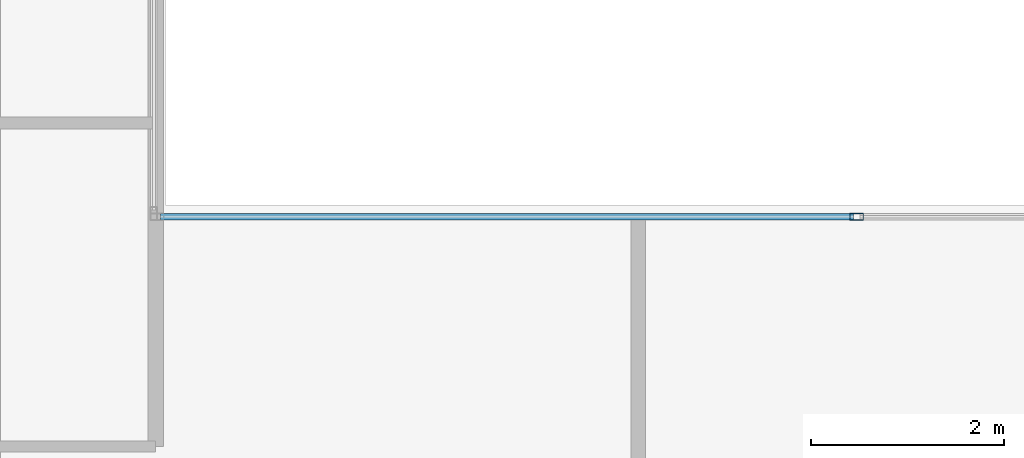
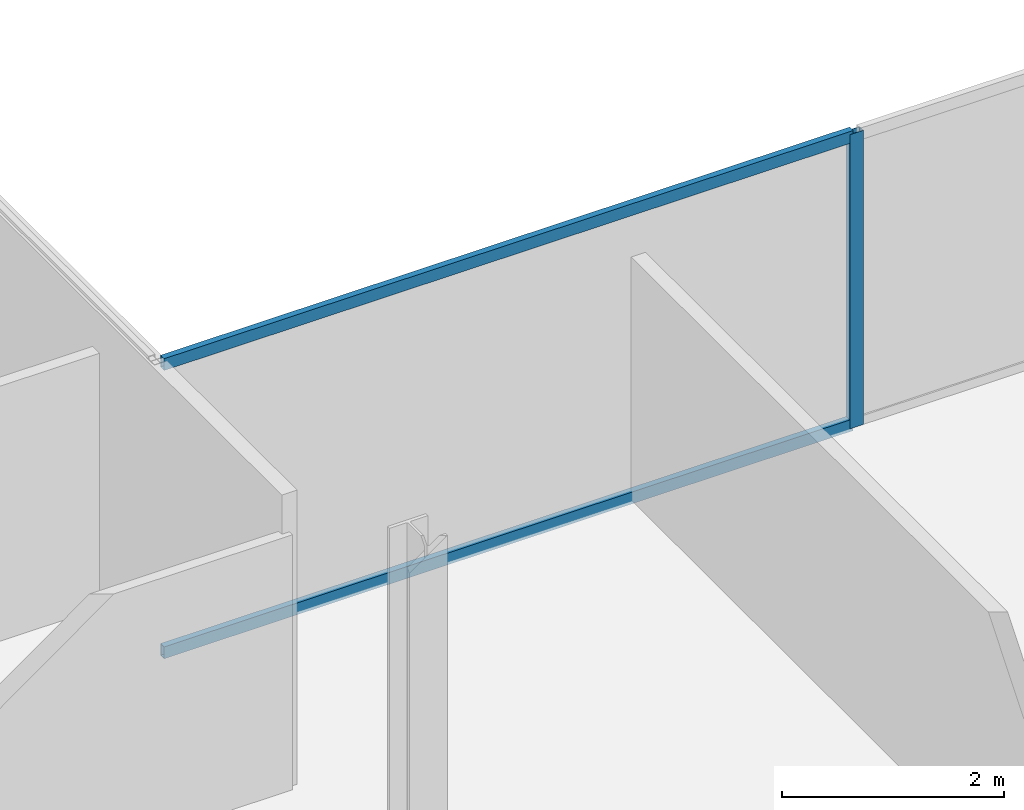
# One storey, part 9 of 24: 3 members, 1 element without a shape of its own.
"""IFC4 building model written with IfcOpenShell, lengths in metres."""

from ifc_helpers import new_model, si_unit, direction, frame, origin, origin_2d, place, context, subcontext, project, spatial, hollow_rectangle, extrude, material, material_profile, profile_set, type_object, element, aggregate, save


model = new_model("IFC4")

# Units and contexts
model_context = context("Model", 3, precision=1e-05, world=origin(), true_north=direction((0.0, 1.0)))
body_context = subcontext(model_context, "Body", "Model", "MODEL_VIEW")
ifc_project = project(units=[si_unit("LENGTHUNIT", "METRE"), si_unit("AREAUNIT", "SQUARE_METRE"), si_unit("VOLUMEUNIT", "CUBIC_METRE"), si_unit("PLANEANGLEUNIT", "RADIAN"), si_unit("MASSUNIT", "GRAM", prefix="KILO")], contexts=[model_context])

# Site, building, storey
site_placement = place(None, origin())
site = spatial("IfcSite", under=ifc_project, at=site_placement, CompositionType="ELEMENT")
building_placement = place(site_placement, origin())
building = spatial("IfcBuilding", under=site, at=building_placement, Name="Cobrela Telecom Tower", CompositionType="ELEMENT")
storey_placement = place(building_placement, frame((0.0, 0.0, 248.14990234375)))
storey = spatial("IfcBuildingStorey", under=building, at=storey_placement, Name="L64", CompositionType="ELEMENT", Elevation=248.14990234375)

# Curtain wall, members
ifc_material = material(Name="Anodized Bronze Aluminium 6063-T6", Category="aluminium")
curtain_wall_type = type_object("IfcCurtainWallType", Name="CW-SYS-OFF-HI", PredefinedType="USERDEFINED", material=ifc_material)
curtain_wall_placement = place(storey_placement, origin())
curtain_wall = element("IfcCurtainWall", 1, at=curtain_wall_placement, inside=storey, type_object=curtain_wall_type, Name="L64 Unitised Bronze Curtain Wall 09", ObjectType="UNITISED CURTAIN WALL", PredefinedType="USERDEFINED")
ifc_material_profile_1 = material_profile(ifc_material, hollow_rectangle(XDim=0.070068359375, YDim=0.139892578125, WallThickness=0.00390625, at=origin_2d()), Name="ALU 70x140x4")
ifc_profile_set_1 = profile_set([ifc_material_profile_1], Name="Anodized Bronze Aluminium 6063-T6")
member_type_1 = type_object("IfcMemberType", Name="CW-SYS-OFF-HI-MUL", PredefinedType="MULLION", material=ifc_profile_set_1)
member_1_placement = place(storey_placement, frame((28.163330078125, 25.080078125, 0.0), z_axis=(0.0, 0.0, 1.0), x_axis=(0.0, 1.0, 0.0)))
member_1 = element("IfcMember", 2, at=member_1_placement, type_object=member_type_1, Name="CW-OFF-HI mullion 2", PredefinedType="MULLION", context=body_context, shape_type="SweptSolid", body=[
    extrude(hollow_rectangle(XDim=0.070068359375, YDim=0.139892578125, WallThickness=0.00390625, at=origin_2d()), origin(), (0.0, 0.0, 1.0), 3.239990234375),
])
ifc_material_profile_2 = material_profile(ifc_material, hollow_rectangle(XDim=0.06494140625, YDim=0.1298828125, WallThickness=0.00390625, at=origin_2d()), Name="ALU 65x130x4")
ifc_profile_set_2 = profile_set([ifc_material_profile_2], Name="Anodized Bronze Aluminium 6063-T6")
member_type_2 = type_object("IfcMemberType", Name="CW-SYS-OFF-HI-TRN", PredefinedType="USERDEFINED", material=ifc_profile_set_2)
member_2_placement = place(storey_placement, frame((20.949951171875, 25.080078125, 0.03271484375), z_axis=(1.0, 0.0, 0.0), x_axis=(0.0, 1.0, 0.0)))
member_2 = element("IfcMember", 3, at=member_2_placement, type_object=member_type_2, Name="CW-OFF-HI transom 1.1", ObjectType="TRANSOM", PredefinedType="USERDEFINED", context=body_context, shape_type="SweptSolid", body=[
    extrude(hollow_rectangle(XDim=0.06494140625, YDim=0.1298828125, WallThickness=0.00390625, at=origin_2d()), origin(), (0.0, 0.0, 1.0), 7.178466796875),
])
member_3_placement = place(storey_placement, frame((20.949951171875, 25.080078125, 3.20751953125), z_axis=(1.0, 0.0, 0.0), x_axis=(0.0, 1.0, 0.0)))
member_3 = element("IfcMember", 4, at=member_3_placement, type_object=member_type_2, Name="CW-OFF-HI transom 1.2", ObjectType="TRANSOM", PredefinedType="USERDEFINED", context=body_context, shape_type="SweptSolid", body=[
    extrude(hollow_rectangle(XDim=0.06494140625, YDim=0.1298828125, WallThickness=0.00390625, at=origin_2d()), origin(), (0.0, 0.0, 1.0), 7.178466796875),
])
aggregate(curtain_wall, [member_1, member_2, member_3])

save(model, "model.ifc")
